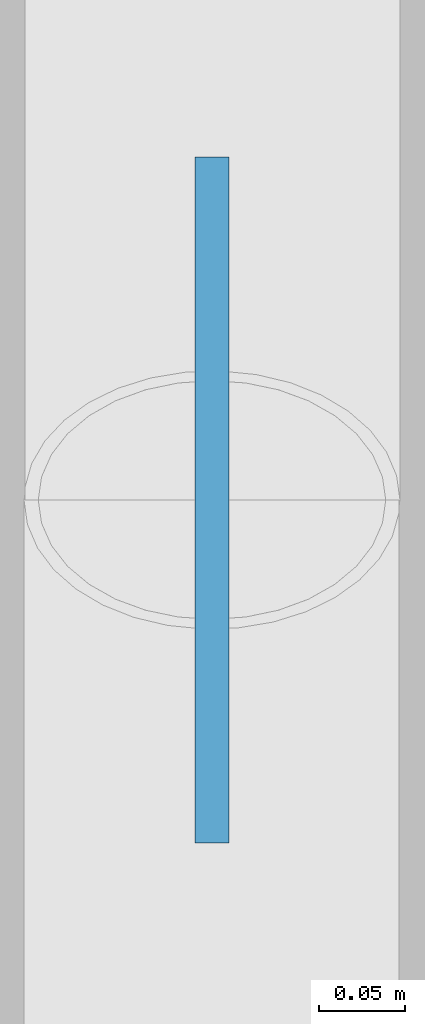
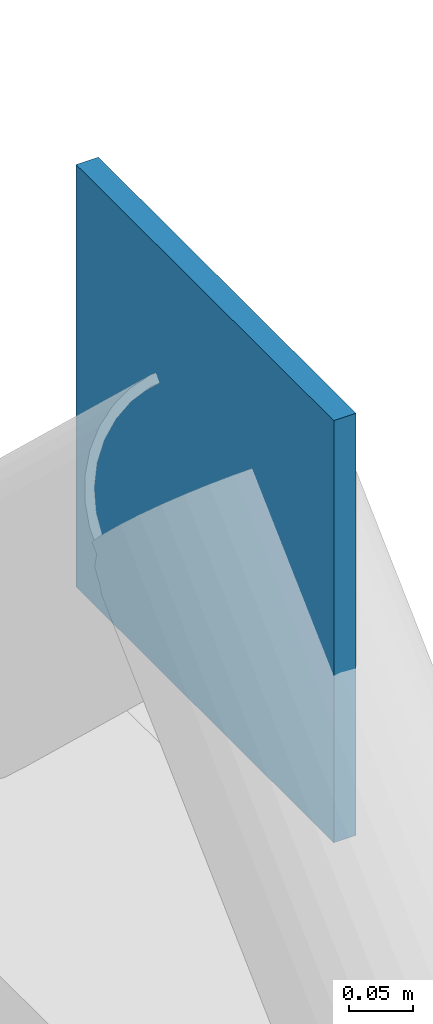
# One storey, part 87 of 140: 1 plate.
"""IFC4 building model written with IfcOpenShell, lengths in metres."""

from ifc_helpers import new_model, si_unit, direction, frame, origin, origin_2d, place, context, subcontext, project, spatial, rectangle, extrude, material, layer, layer_set, type_object, element, save


model = new_model("IFC4")

# Units and contexts
model_context = context("Model", 3, precision=1e-05, world=origin(), true_north=direction((0.0, 1.0)))
body_context = subcontext(model_context, "Body", "Model", "MODEL_VIEW")
ifc_project = project(units=[si_unit("LENGTHUNIT", "METRE"), si_unit("AREAUNIT", "SQUARE_METRE"), si_unit("VOLUMEUNIT", "CUBIC_METRE"), si_unit("PLANEANGLEUNIT", "RADIAN"), si_unit("MASSUNIT", "GRAM", prefix="KILO"), si_unit("THERMODYNAMICTEMPERATUREUNIT", "KELVIN"), si_unit("POWERUNIT", "WATT")], contexts=[model_context])

# Site, building, storey
site_placement = place(None, origin())
site = spatial("IfcSite", under=ifc_project, at=site_placement, CompositionType="ELEMENT")
building_placement = place(site_placement, origin())
building = spatial("IfcBuilding", under=site, at=building_placement, Name="Tallowbark Science Centre", CompositionType="ELEMENT")
storey_placement = place(building_placement, frame((0.0, 0.0, 9.89990234375)))
storey = spatial("IfcBuildingStorey", under=building, at=storey_placement, Name="L02", CompositionType="ELEMENT", Elevation=9.89990234375)

# Plate
ifc_material = material(Name="Structural Steel Grade 300PLUS (300 MPa)", Category="steel")
ifc_layer = layer(ifc_material, 0.02001953125)
ifc_layer_set = layer_set([ifc_layer], Name="Structural Steel Grade 300PLUS (300 MPa)")
plate_type = type_object("IfcPlateType", Name="PLT-GUS-20", PredefinedType="SHEET", material=ifc_layer_set)
plate_placement = place(storey_placement, frame((157.5, 13.5, 4.050048828125), z_axis=(0.0, 0.0, 1.0), x_axis=(0.0, 1.0, 0.0)))
element("IfcPlate", 1, at=plate_placement, inside=storey, type_object=plate_type, Name="Chevron Brace Apex Gusset CBF-THT-E1 L02", PredefinedType="SHEET", context=body_context, shape_type="SweptSolid", body=[
    extrude(rectangle(XDim=0.39990234375, YDim=0.02001953125, at=origin_2d()), origin(), (0.0, 0.0, 1.0), 0.39990234375),
])

save(model, "model.ifc")
